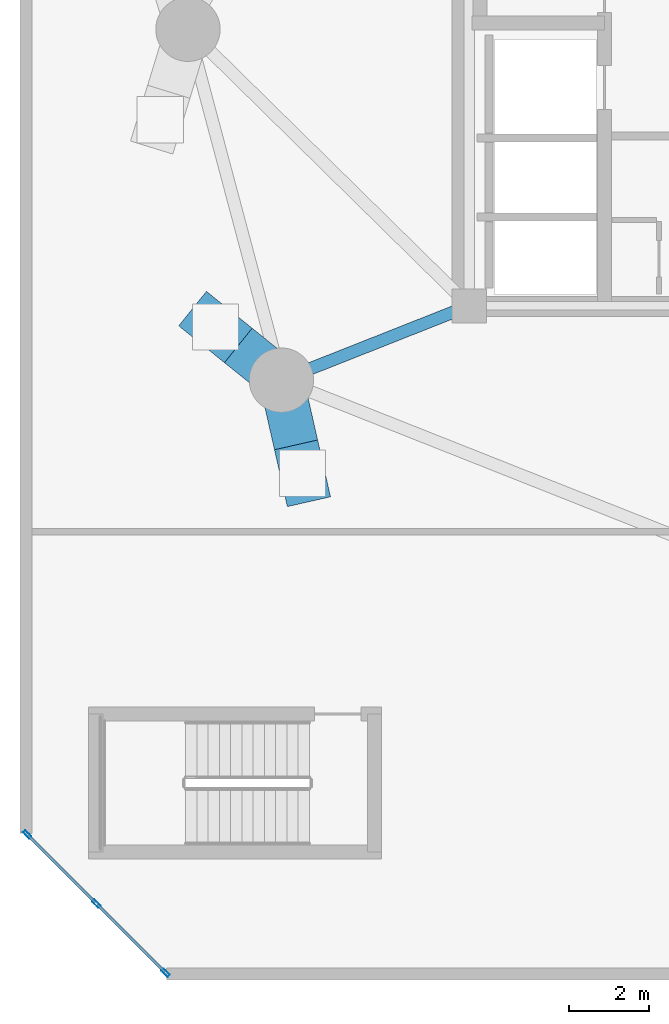
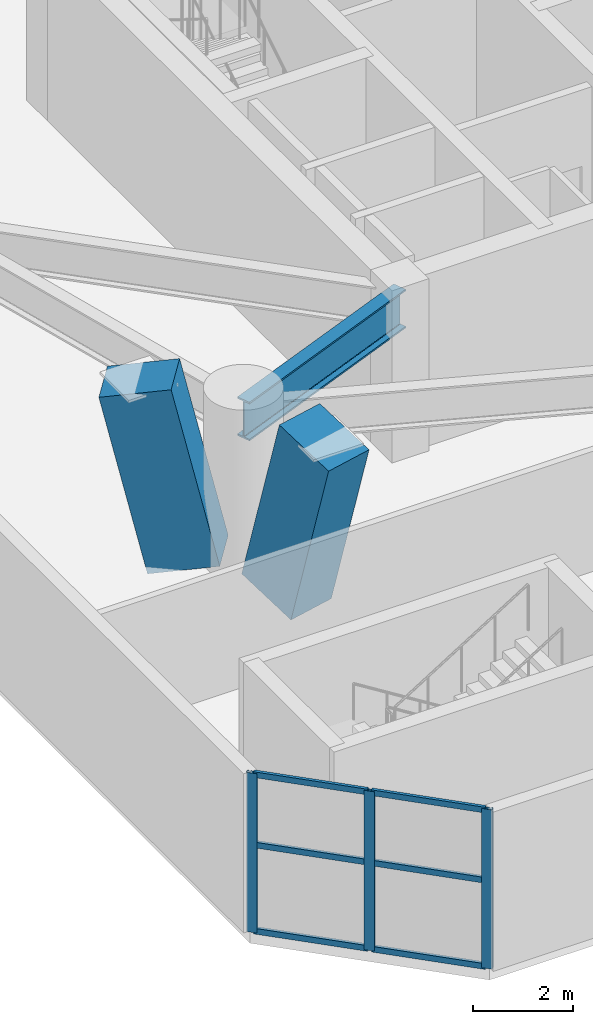
# One storey, part 3 of 20: 11 members, 1 beam, 1 element without a shape of its own.
"""IFC4 building model written with IfcOpenShell, lengths in metres."""

from ifc_helpers import new_model, si_unit, direction, frame, origin, origin_2d, place, context, subcontext, project, spatial, rectangle, hollow_rectangle, i_section, extrude, material, layer, layer_set, material_profile, profile_set, type_object, element, aggregate, save


model = new_model("IFC4")

# Units and contexts
model_context = context("Model", 3, precision=1e-05, world=origin(), true_north=direction((0.0, 1.0)))
body_context = subcontext(model_context, "Body", "Model", "MODEL_VIEW")
ifc_project = project(units=[si_unit("LENGTHUNIT", "METRE"), si_unit("AREAUNIT", "SQUARE_METRE"), si_unit("VOLUMEUNIT", "CUBIC_METRE"), si_unit("PLANEANGLEUNIT", "RADIAN"), si_unit("MASSUNIT", "GRAM", prefix="KILO")], contexts=[model_context])

# Site, building, storey
site_placement = place(None, origin())
site = spatial("IfcSite", under=ifc_project, at=site_placement, CompositionType="ELEMENT")
building_placement = place(site_placement, origin())
building = spatial("IfcBuilding", under=site, at=building_placement, Name="Cununo Teusaquillo Station Towers", CompositionType="ELEMENT")
storey_placement = place(building_placement, frame((0.0, 0.0, 4.800048828125)))
storey = spatial("IfcBuildingStorey", under=building, at=storey_placement, Name="L01", CompositionType="ELEMENT", Elevation=4.800048828125)

# Beam
ifc_material_1 = material(Name="Steel ASTM A572 Grade 50", Category="steel")
ifc_material_profile_1 = material_profile(ifc_material_1, i_section(OverallWidth=0.30810546875, OverallDepth=0.943115234375, WebThickness=0.022216796875, FlangeThickness=0.039794921875, FilletRadius=0.02392578125, at=origin_2d()), Name="W36X232")
ifc_profile_set_1 = profile_set([ifc_material_profile_1], Name="Steel ASTM A572 Grade 50")
beam_type = type_object("IfcBeamType", Name="BM-POD-SEC", PredefinedType="BEAM", material=ifc_profile_set_1)
beam_placement = place(storey_placement, frame((11.324951171875, 17.6201171875, 3.428466796875), z_axis=(-0.929864104313, -0.367903176814, 0.0), x_axis=(0.367903176814, -0.929864104313, 0.0)))
element("IfcBeam", 1, at=beam_placement, inside=storey, type_object=beam_type, Name="L01 Tower A Podium Radial Girder 4", PredefinedType="BEAM", context=body_context, shape_type="SweptSolid", body=[
    extrude(i_section(OverallWidth=0.30810546875, OverallDepth=0.943115234375, WebThickness=0.022216796875, FlangeThickness=0.039794921875, FilletRadius=0.02392578125, at=origin_2d()), origin(), (0.0, 0.0, 1.0), 5.02490234375),
])

# Curtain wall, members
ifc_material_2 = material(Name="Ceramic-fritted dark low-E double glazing", Category="glass")
ifc_layer = layer(ifc_material_2, 0.179931640625)
ifc_layer_set = layer_set([ifc_layer], Name="Ceramic-fritted dark low-E double glazing")
curtain_wall_type = type_object("IfcCurtainWallType", Name="CW-SYS-01", PredefinedType="USERDEFINED", material=ifc_layer_set)
curtain_wall_placement = place(storey_placement, origin())
curtain_wall = element("IfcCurtainWall", 2, at=curtain_wall_placement, inside=storey, type_object=curtain_wall_type, Name="L01 Station Podium Corner Curtain Wall 8", ObjectType="FRITTED GLAZING", PredefinedType="USERDEFINED")
ifc_material_3 = material(Name="Anodised dark bronze aluminium EN AW-6063-T6", Category="aluminium")
ifc_material_profile_2 = material_profile(ifc_material_3, hollow_rectangle(XDim=0.080078125, YDim=0.219970703125, WallThickness=0.0048828125, at=origin_2d()), Name="CW-MULL-80x220")
ifc_profile_set_2 = profile_set([ifc_material_profile_2], Name="Anodised dark bronze aluminium EN AW-6063-T6")
member_type_1 = type_object("IfcMemberType", Name="CWM-220", PredefinedType="MULLION", material=ifc_profile_set_2)
member_1_placement = place(storey_placement, frame((3.771728515625, 1.0283203125, 0.0), z_axis=(0.0, 0.0, 1.0), x_axis=(-0.707106781187, -0.707106781187, 0.0)))
member_1 = element("IfcMember", 3, at=member_1_placement, type_object=member_type_1, Name="CW-01 mullion 1", PredefinedType="MULLION", context=body_context, shape_type="SweptSolid", body=[
    extrude(hollow_rectangle(XDim=0.080078125, YDim=0.219970703125, WallThickness=0.0048828125, at=origin_2d()), origin(), (0.0, 0.0, 1.0), 3.885009765625),
])
member_2_placement = place(storey_placement, frame((2.050048828125, 2.75, 0.0), z_axis=(0.0, 0.0, 1.0), x_axis=(-0.707106781187, -0.707106781187, 0.0)))
member_2 = element("IfcMember", 4, at=member_2_placement, type_object=member_type_1, Name="CW-01 mullion 2", PredefinedType="MULLION", context=body_context, shape_type="SweptSolid", body=[
    extrude(hollow_rectangle(XDim=0.080078125, YDim=0.219970703125, WallThickness=0.0048828125, at=origin_2d()), origin(), (0.0, 0.0, 1.0), 3.885009765625),
])
member_3_placement = place(storey_placement, frame((0.328369140625, 4.4716796875, 0.0), z_axis=(0.0, 0.0, 1.0), x_axis=(-0.707106781187, -0.707106781187, 0.0)))
member_3 = element("IfcMember", 5, at=member_3_placement, type_object=member_type_1, Name="CW-01 mullion 3", PredefinedType="MULLION", context=body_context, shape_type="SweptSolid", body=[
    extrude(hollow_rectangle(XDim=0.080078125, YDim=0.219970703125, WallThickness=0.0048828125, at=origin_2d()), origin(), (0.0, 0.0, 1.0), 3.885009765625),
])
ifc_material_4 = material(Name="Anodised dark bronze aluminium EN AW-6063-T6", Category="aluminium")
ifc_material_profile_3 = material_profile(ifc_material_4, hollow_rectangle(XDim=0.070068359375, YDim=0.139892578125, WallThickness=0.00390625, at=origin_2d()), Name="CW-TRAN-70x140")
ifc_profile_set_3 = profile_set([ifc_material_profile_3], Name="Anodised dark bronze aluminium EN AW-6063-T6")
member_type_2 = type_object("IfcMemberType", Name="CWT-140", PredefinedType="USERDEFINED", material=ifc_profile_set_3)
member_4_placement = place(storey_placement, frame((3.743408203125, 1.056640625, 0.034912109375), z_axis=(-0.707106781187, 0.707106781187, 0.0), x_axis=(-0.707106781187, -0.707106781187, 0.0)))
member_4 = element("IfcMember", 6, at=member_4_placement, type_object=member_type_2, Name="CW-01 transom 1.1", ObjectType="TRANSOM", PredefinedType="USERDEFINED", context=body_context, shape_type="SweptSolid", body=[
    extrude(hollow_rectangle(XDim=0.070068359375, YDim=0.139892578125, WallThickness=0.00390625, at=origin_2d()), origin(), (0.0, 0.0, 1.0), 2.354736328125),
])
member_5_placement = place(storey_placement, frame((3.743408203125, 1.056640625, 2.136962890625), z_axis=(-0.707106781187, 0.707106781187, 0.0), x_axis=(-0.707106781187, -0.707106781187, 0.0)))
member_5 = element("IfcMember", 7, at=member_5_placement, type_object=member_type_2, Name="CW-01 transom 1.2", ObjectType="TRANSOM", PredefinedType="USERDEFINED", context=body_context, shape_type="SweptSolid", body=[
    extrude(hollow_rectangle(XDim=0.070068359375, YDim=0.139892578125, WallThickness=0.00390625, at=origin_2d()), origin(), (0.0, 0.0, 1.0), 2.354736328125),
])
member_6_placement = place(storey_placement, frame((3.743408203125, 1.056640625, 3.849853515625), z_axis=(-0.707106781187, 0.707106781187, 0.0), x_axis=(-0.707106781187, -0.707106781187, 0.0)))
member_6 = element("IfcMember", 8, at=member_6_placement, type_object=member_type_2, Name="CW-01 transom 1.3", ObjectType="TRANSOM", PredefinedType="USERDEFINED", context=body_context, shape_type="SweptSolid", body=[
    extrude(hollow_rectangle(XDim=0.070068359375, YDim=0.139892578125, WallThickness=0.00390625, at=origin_2d()), origin(), (0.0, 0.0, 1.0), 2.354736328125),
])
member_7_placement = place(storey_placement, frame((2.021728515625, 2.7783203125, 0.034912109375), z_axis=(-0.707106781187, 0.707106781187, 0.0), x_axis=(-0.707106781187, -0.707106781187, 0.0)))
member_7 = element("IfcMember", 9, at=member_7_placement, type_object=member_type_2, Name="CW-01 transom 2.1", ObjectType="TRANSOM", PredefinedType="USERDEFINED", context=body_context, shape_type="SweptSolid", body=[
    extrude(hollow_rectangle(XDim=0.070068359375, YDim=0.139892578125, WallThickness=0.00390625, at=origin_2d()), origin(), (0.0, 0.0, 1.0), 2.354736328125),
])
member_8_placement = place(storey_placement, frame((2.021728515625, 2.7783203125, 2.136962890625), z_axis=(-0.707106781187, 0.707106781187, 0.0), x_axis=(-0.707106781187, -0.707106781187, 0.0)))
member_8 = element("IfcMember", 10, at=member_8_placement, type_object=member_type_2, Name="CW-01 transom 2.2", ObjectType="TRANSOM", PredefinedType="USERDEFINED", context=body_context, shape_type="SweptSolid", body=[
    extrude(hollow_rectangle(XDim=0.070068359375, YDim=0.139892578125, WallThickness=0.00390625, at=origin_2d()), origin(), (0.0, 0.0, 1.0), 2.354736328125),
])
member_9_placement = place(storey_placement, frame((2.021728515625, 2.7783203125, 3.849853515625), z_axis=(-0.707106781187, 0.707106781187, 0.0), x_axis=(-0.707106781187, -0.707106781187, 0.0)))
member_9 = element("IfcMember", 11, at=member_9_placement, type_object=member_type_2, Name="CW-01 transom 2.3", ObjectType="TRANSOM", PredefinedType="USERDEFINED", context=body_context, shape_type="SweptSolid", body=[
    extrude(hollow_rectangle(XDim=0.070068359375, YDim=0.139892578125, WallThickness=0.00390625, at=origin_2d()), origin(), (0.0, 0.0, 1.0), 2.354736328125),
])
aggregate(curtain_wall, [member_1, member_2, member_3, member_4, member_5, member_6, member_7, member_8, member_9])

# Members
ifc_material_5 = material(Name="Concrete C60/75", Category="concrete")
ifc_material_profile_4 = material_profile(ifc_material_5, rectangle(XDim=1.10009765625, YDim=1.5, at=origin_2d()), Name="RC-RECT-1500x1100")
ifc_profile_set_4 = profile_set([ifc_material_profile_4], Name="Concrete C60/75")
member_type_3 = type_object("IfcMemberType", Name="MBR-VFOOT", PredefinedType="USERDEFINED", material=ifc_profile_set_4)
member_10_placement = place(storey_placement, frame((5.777587890625, 16.476318359375, 0.0), z_axis=(-0.177494556826, 0.1430257478, 0.973673106213), x_axis=(-0.627446649837, -0.778659554368, 0.0)))
element("IfcMember", 12, at=member_10_placement, inside=storey, type_object=member_type_3, Name="L01 Tower A Sloping Concrete V-Foot V12L", ObjectType="V FOOT STRUT", PredefinedType="USERDEFINED", context=body_context, shape_type="SweptSolid", body=[
    extrude(rectangle(XDim=1.10009765625, YDim=1.5, at=origin_2d()), origin(), (0.0, 0.0, 1.0), 4.3134765625),
])
member_11_placement = place(storey_placement, frame((6.9326171875, 14.53564453125, 0.0), z_axis=(0.056372761122, -0.248928174485, 0.966879969671), x_axis=(0.975303454617, 0.220869127338, 0.0)))
element("IfcMember", 13, at=member_11_placement, inside=storey, type_object=member_type_3, Name="L01 Tower A Sloping Concrete V-Foot V12R", ObjectType="V FOOT STRUT", PredefinedType="USERDEFINED", context=body_context, shape_type="SweptSolid", body=[
    extrude(rectangle(XDim=1.10009765625, YDim=1.5, at=origin_2d()), origin(), (0.0, 0.0, 1.0), 4.34375),
])

save(model, "model.ifc")
